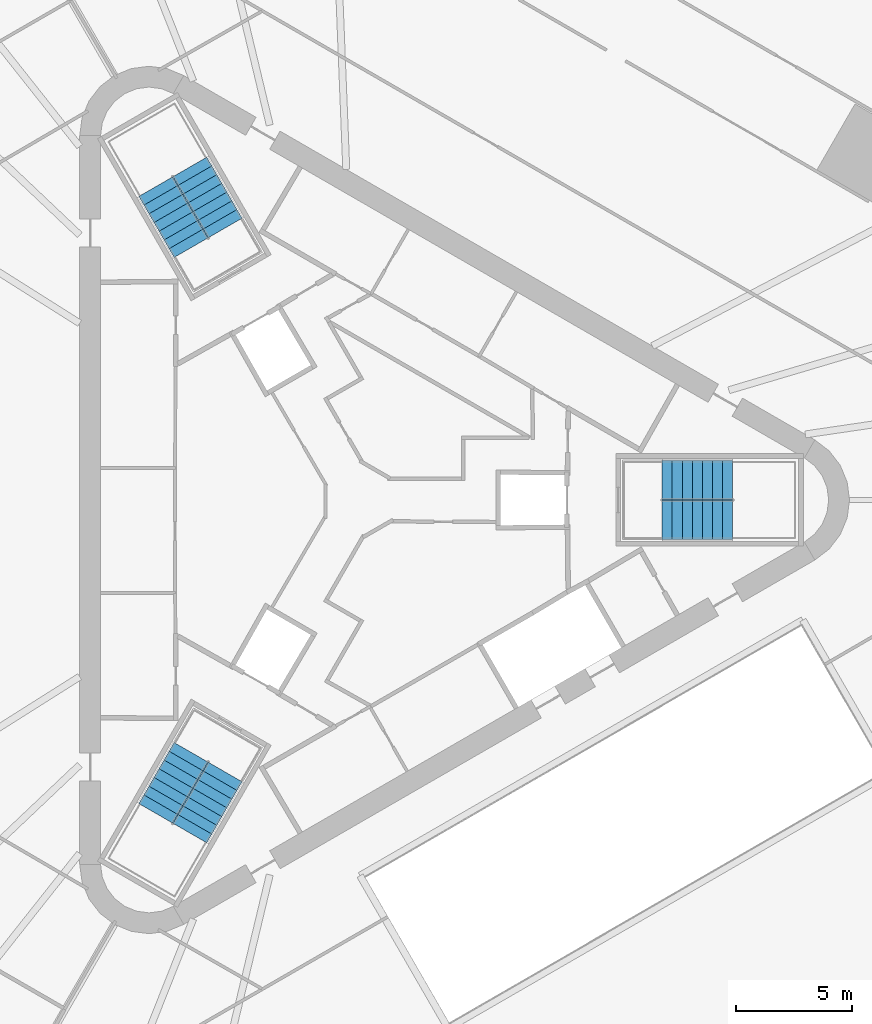
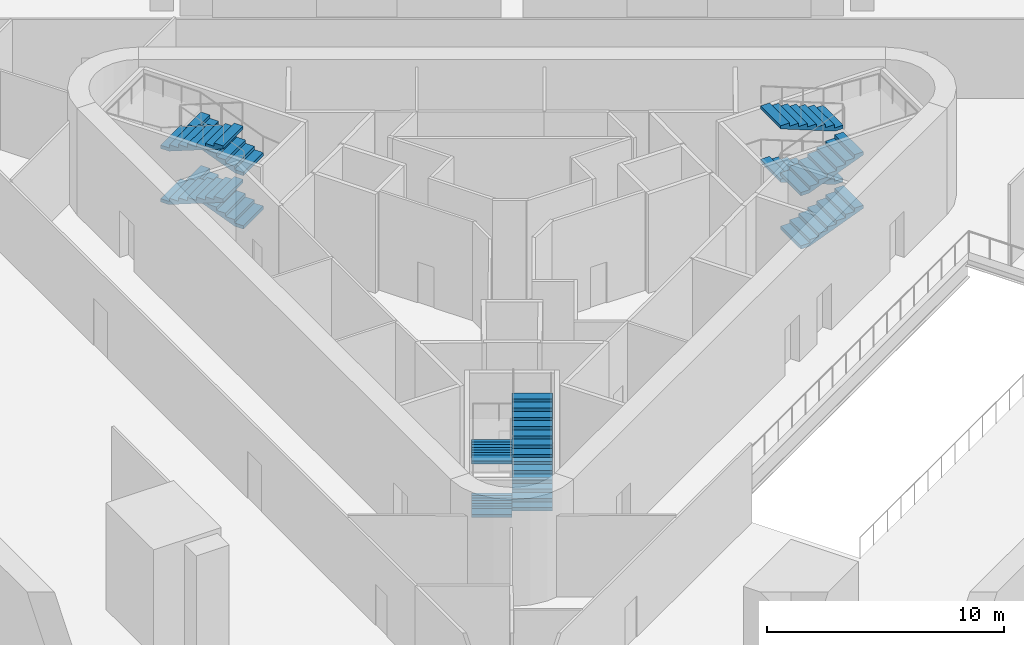
# One storey, part 11 of 13: 12 stair flights, 3 elements without a shape of their own.
"""IFC4 building model written with IfcOpenShell, lengths in metres."""

from ifc_helpers import new_model, si_unit, direction, frame, origin, place, context, subcontext, project, spatial, polyline, outline, extrude, material, type_object, element, aggregate, save


model = new_model("IFC4")

# Units and contexts
model_context = context("Model", 3, precision=1e-05, world=origin(), true_north=direction((0.0, 1.0)))
body_context = subcontext(model_context, "Body", "Model", "MODEL_VIEW")
ifc_project = project(units=[si_unit("LENGTHUNIT", "METRE"), si_unit("AREAUNIT", "SQUARE_METRE"), si_unit("VOLUMEUNIT", "CUBIC_METRE"), si_unit("PLANEANGLEUNIT", "RADIAN"), si_unit("MASSUNIT", "GRAM", prefix="KILO")], contexts=[model_context])

# Site, building, storey
site_placement = place(None, origin())
site = spatial("IfcSite", under=ifc_project, at=site_placement, CompositionType="ELEMENT")
building_placement = place(site_placement, origin())
building = spatial("IfcBuilding", under=site, at=building_placement, Name="Tanit Gate Tower", CompositionType="ELEMENT")
storey_placement = place(building_placement, frame((0.0, 0.0, -5.5)))
storey = spatial("IfcBuildingStorey", under=building, at=storey_placement, Name="B1", CompositionType="ELEMENT", Elevation=-5.5)

# Stair, stair flights
ifc_material_1 = material(Name="Concrete C40/50", Category="concrete")
stair_type = type_object("IfcStairType", Name="INT-STAIR-EXIT", PredefinedType="HALF_TURN_STAIR", material=ifc_material_1)
stair_1_placement = place(storey_placement, origin())
stair_1 = element("IfcStair", 1, at=stair_1_placement, inside=storey, type_object=stair_type, Name="B1 STAIR S1", PredefinedType="HALF_TURN_STAIR")
ifc_material_2 = material(Name="Concrete C40/50", Category="concrete")
stair_flight_type = type_object("IfcStairFlightType", Name="INT-STAIR-FLIGHT", PredefinedType="STRAIGHT", material=ifc_material_2)
stair_flight_1_placement = place(storey_placement, frame((13.094970703125, -0.8525390625, 0.0), z_axis=(0.0, 0.0, 1.0), x_axis=(1.0, 0.0, 0.0)))
stair_flight_1 = element("IfcStairFlight", 2, at=stair_flight_1_placement, type_object=stair_flight_type, Name="S1 flight 1", NumberOfRisers=8, NumberOfTreads=7, PredefinedType="STRAIGHT", RiserHeight=0.171875, TreadLength=0.435857143, context=body_context, shape_type="SweptSolid", body=[
    extrude(outline(polyline([(0.0, 0.0), (0.0, 0.171875), (0.435791015625, 0.171875), (0.435791015625, 0.34375), (0.871826171875, 0.34375), (0.871826171875, 0.515625), (1.3076171875, 0.515625), (1.3076171875, 0.6875), (1.743408203125, 0.6875), (1.743408203125, 0.859375), (2.17919921875, 0.859375), (2.17919921875, 1.03125), (2.615234375, 1.03125), (2.615234375, 1.203125), (3.051025390625, 1.203125), (3.051025390625, 1.375), (3.051025390625, 1.0419921875), (0.40869140625, 0.0), (0.0, 0.0)])), frame((0.0, 0.84765625, 0.0), z_axis=(0.0, -1.0, 0.0), x_axis=(1.0, 0.0, 0.0)), (0.0, 0.0, 1.0), 1.695068359375),
])
stair_flight_2_placement = place(storey_placement, frame((16.14599609375, 0.8525390625, 1.375), z_axis=(0.0, 0.0, 1.0), x_axis=(-1.0, 0.0, 0.0)))
stair_flight_2 = element("IfcStairFlight", 3, at=stair_flight_2_placement, type_object=stair_flight_type, Name="S1 flight 2", NumberOfRisers=8, NumberOfTreads=7, PredefinedType="STRAIGHT", RiserHeight=0.171875, TreadLength=0.435857143, context=body_context, shape_type="SweptSolid", body=[
    extrude(outline(polyline([(0.0, 0.0), (0.0, 0.171875), (0.435791015625, 0.171875), (0.435791015625, 0.34375), (0.871826171875, 0.34375), (0.871826171875, 0.515625), (1.3076171875, 0.515625), (1.3076171875, 0.6875), (1.743408203125, 0.6875), (1.743408203125, 0.859375), (2.17919921875, 0.859375), (2.17919921875, 1.03125), (2.615234375, 1.03125), (2.615234375, 1.203125), (3.051025390625, 1.203125), (3.051025390625, 1.375), (3.051025390625, 1.0419921875), (0.40869140625, 0.0), (0.0, 0.0)])), frame((0.0, 0.84765625, 0.0), z_axis=(0.0, -1.0, 0.0), x_axis=(1.0, 0.0, 0.0)), (0.0, 0.0, 1.0), 1.695068359375),
])
stair_flight_3_placement = place(storey_placement, frame((13.094970703125, -0.8525390625, 2.75), z_axis=(0.0, 0.0, 1.0), x_axis=(1.0, 0.0, 0.0)))
stair_flight_3 = element("IfcStairFlight", 4, at=stair_flight_3_placement, type_object=stair_flight_type, Name="S1 flight 3", NumberOfRisers=8, NumberOfTreads=7, PredefinedType="STRAIGHT", RiserHeight=0.171875, TreadLength=0.435857143, context=body_context, shape_type="SweptSolid", body=[
    extrude(outline(polyline([(0.0, 0.0), (0.0, 0.171875), (0.435791015625, 0.171875), (0.435791015625, 0.34375), (0.871826171875, 0.34375), (0.871826171875, 0.515625), (1.3076171875, 0.515625), (1.3076171875, 0.6875), (1.743408203125, 0.6875), (1.743408203125, 0.859375), (2.17919921875, 0.859375), (2.17919921875, 1.03125), (2.615234375, 1.03125), (2.615234375, 1.203125), (3.051025390625, 1.203125), (3.051025390625, 1.375), (3.051025390625, 1.0419921875), (0.40869140625, 0.0), (0.0, 0.0)])), frame((0.0, 0.84765625, 0.0), z_axis=(0.0, -1.0, 0.0), x_axis=(1.0, 0.0, 0.0)), (0.0, 0.0, 1.0), 1.695068359375),
])
stair_flight_4_placement = place(storey_placement, frame((16.14599609375, 0.8525390625, 4.125), z_axis=(0.0, 0.0, 1.0), x_axis=(-1.0, 0.0, 0.0)))
stair_flight_4 = element("IfcStairFlight", 5, at=stair_flight_4_placement, type_object=stair_flight_type, Name="S1 flight 4", NumberOfRisers=8, NumberOfTreads=7, PredefinedType="STRAIGHT", RiserHeight=0.171875, TreadLength=0.435857143, context=body_context, shape_type="SweptSolid", body=[
    extrude(outline(polyline([(0.0, 0.0), (0.0, 0.171875), (0.435791015625, 0.171875), (0.435791015625, 0.34375), (0.871826171875, 0.34375), (0.871826171875, 0.515625), (1.3076171875, 0.515625), (1.3076171875, 0.6875), (1.743408203125, 0.6875), (1.743408203125, 0.859375), (2.17919921875, 0.859375), (2.17919921875, 1.03125), (2.615234375, 1.03125), (2.615234375, 1.203125), (3.051025390625, 1.203125), (3.051025390625, 1.375), (3.051025390625, 1.0419921875), (0.40869140625, 0.0), (0.0, 0.0)])), frame((0.0, 0.84765625, 0.0), z_axis=(0.0, -1.0, 0.0), x_axis=(1.0, 0.0, 0.0)), (0.0, 0.0, 1.0), 1.695068359375),
])
aggregate(stair_1, [stair_flight_1, stair_flight_2, stair_flight_3, stair_flight_4])

stair_2_placement = place(storey_placement, origin())
stair_2 = element("IfcStair", 6, at=stair_2_placement, inside=storey, type_object=stair_type, Name="B1 STAIR S2", PredefinedType="HALF_TURN_STAIR")
stair_flight_5_placement = place(storey_placement, frame((-5.808349609375, 11.766357421875, 0.0), z_axis=(0.0, 0.0, 1.0), x_axis=(-0.5, 0.866025403784, 0.0)))
stair_flight_5 = element("IfcStairFlight", 7, at=stair_flight_5_placement, type_object=stair_flight_type, Name="S2 flight 1", NumberOfRisers=8, NumberOfTreads=7, PredefinedType="STRAIGHT", RiserHeight=0.171875, TreadLength=0.4356, context=body_context, shape_type="SweptSolid", body=[
    extrude(outline(polyline([(0.0, 0.0), (0.0, 0.171875), (0.435546875, 0.171875), (0.435546875, 0.34375), (0.87109375, 0.34375), (0.87109375, 0.515625), (1.306884765625, 0.515625), (1.306884765625, 0.6875), (1.742431640625, 0.6875), (1.742431640625, 0.859375), (2.177978515625, 0.859375), (2.177978515625, 1.03125), (2.613525390625, 1.03125), (2.613525390625, 1.203125), (3.04931640625, 1.203125), (3.04931640625, 1.375), (3.04931640625, 1.0419921875), (0.408447265625, 0.0), (0.0, 0.0)])), frame((0.0, 0.84716796875, 0.0), z_axis=(0.0, -1.0, 0.0), x_axis=(1.0, 0.0, 0.0)), (0.0, 0.0, 1.0), 1.694091796875),
])
stair_flight_6_placement = place(storey_placement, frame((-8.810302734375, 13.553955078125, 1.375), z_axis=(0.0, 0.0, 1.0), x_axis=(0.5, -0.866025403784, 0.0)))
stair_flight_6 = element("IfcStairFlight", 8, at=stair_flight_6_placement, type_object=stair_flight_type, Name="S2 flight 2", NumberOfRisers=8, NumberOfTreads=7, PredefinedType="STRAIGHT", RiserHeight=0.171875, TreadLength=0.4356, context=body_context, shape_type="SweptSolid", body=[
    extrude(outline(polyline([(0.0, 0.0), (0.0, 0.171875), (0.435546875, 0.171875), (0.435546875, 0.34375), (0.87109375, 0.34375), (0.87109375, 0.515625), (1.306884765625, 0.515625), (1.306884765625, 0.6875), (1.742431640625, 0.6875), (1.742431640625, 0.859375), (2.177978515625, 0.859375), (2.177978515625, 1.03125), (2.613525390625, 1.03125), (2.613525390625, 1.203125), (3.04931640625, 1.203125), (3.04931640625, 1.375), (3.04931640625, 1.0419921875), (0.408447265625, 0.0), (0.0, 0.0)])), frame((0.0, 0.84716796875, 0.0), z_axis=(0.0, -1.0, 0.0), x_axis=(1.0, 0.0, 0.0)), (0.0, 0.0, 1.0), 1.694091796875),
])
stair_flight_7_placement = place(storey_placement, frame((-5.808349609375, 11.766357421875, 2.75), z_axis=(0.0, 0.0, 1.0), x_axis=(-0.5, 0.866025403784, 0.0)))
stair_flight_7 = element("IfcStairFlight", 9, at=stair_flight_7_placement, type_object=stair_flight_type, Name="S2 flight 3", NumberOfRisers=8, NumberOfTreads=7, PredefinedType="STRAIGHT", RiserHeight=0.171875, TreadLength=0.4356, context=body_context, shape_type="SweptSolid", body=[
    extrude(outline(polyline([(0.0, 0.0), (0.0, 0.171875), (0.435546875, 0.171875), (0.435546875, 0.34375), (0.87109375, 0.34375), (0.87109375, 0.515625), (1.306884765625, 0.515625), (1.306884765625, 0.6875), (1.742431640625, 0.6875), (1.742431640625, 0.859375), (2.177978515625, 0.859375), (2.177978515625, 1.03125), (2.613525390625, 1.03125), (2.613525390625, 1.203125), (3.04931640625, 1.203125), (3.04931640625, 1.375), (3.04931640625, 1.0419921875), (0.408447265625, 0.0), (0.0, 0.0)])), frame((0.0, 0.84716796875, 0.0), z_axis=(0.0, -1.0, 0.0), x_axis=(1.0, 0.0, 0.0)), (0.0, 0.0, 1.0), 1.694091796875),
])
stair_flight_8_placement = place(storey_placement, frame((-8.810302734375, 13.553955078125, 4.125), z_axis=(0.0, 0.0, 1.0), x_axis=(0.5, -0.866025403784, 0.0)))
stair_flight_8 = element("IfcStairFlight", 10, at=stair_flight_8_placement, type_object=stair_flight_type, Name="S2 flight 4", NumberOfRisers=8, NumberOfTreads=7, PredefinedType="STRAIGHT", RiserHeight=0.171875, TreadLength=0.4356, context=body_context, shape_type="SweptSolid", body=[
    extrude(outline(polyline([(0.0, 0.0), (0.0, 0.171875), (0.435546875, 0.171875), (0.435546875, 0.34375), (0.87109375, 0.34375), (0.87109375, 0.515625), (1.306884765625, 0.515625), (1.306884765625, 0.6875), (1.742431640625, 0.6875), (1.742431640625, 0.859375), (2.177978515625, 0.859375), (2.177978515625, 1.03125), (2.613525390625, 1.03125), (2.613525390625, 1.203125), (3.04931640625, 1.203125), (3.04931640625, 1.375), (3.04931640625, 1.0419921875), (0.408447265625, 0.0), (0.0, 0.0)])), frame((0.0, 0.84716796875, 0.0), z_axis=(0.0, -1.0, 0.0), x_axis=(1.0, 0.0, 0.0)), (0.0, 0.0, 1.0), 1.694091796875),
])
aggregate(stair_2, [stair_flight_5, stair_flight_6, stair_flight_7, stair_flight_8])

stair_3_placement = place(storey_placement, origin())
stair_3 = element("IfcStair", 11, at=stair_3_placement, inside=storey, type_object=stair_type, Name="B1 STAIR S3", PredefinedType="HALF_TURN_STAIR")
stair_flight_9_placement = place(storey_placement, frame((-7.285888671875, -10.914306640625, 0.0), z_axis=(0.0, 0.0, 1.0), x_axis=(-0.5, -0.866025403784, 0.0)))
stair_flight_9 = element("IfcStairFlight", 12, at=stair_flight_9_placement, type_object=stair_flight_type, Name="S3 flight 1", NumberOfRisers=8, NumberOfTreads=7, PredefinedType="STRAIGHT", RiserHeight=0.171875, TreadLength=0.435857143, context=body_context, shape_type="SweptSolid", body=[
    extrude(outline(polyline([(0.0, 0.0), (0.0, 0.171875), (0.435791015625, 0.171875), (0.435791015625, 0.34375), (0.871826171875, 0.34375), (0.871826171875, 0.515625), (1.3076171875, 0.515625), (1.3076171875, 0.6875), (1.743408203125, 0.6875), (1.743408203125, 0.859375), (2.17919921875, 0.859375), (2.17919921875, 1.03125), (2.615234375, 1.03125), (2.615234375, 1.203125), (3.051025390625, 1.203125), (3.051025390625, 1.375), (3.051025390625, 1.0419921875), (0.40869140625, 0.0), (0.0, 0.0)])), frame((0.0, 0.84765625, 0.0), z_axis=(0.0, -1.0, 0.0), x_axis=(1.0, 0.0, 0.0)), (0.0, 0.0, 1.0), 1.695068359375),
])
stair_flight_10_placement = place(storey_placement, frame((-7.334716796875, -14.4091796875, 1.375), z_axis=(0.0, 0.0, 1.0), x_axis=(0.5, 0.866025403784, 0.0)))
stair_flight_10 = element("IfcStairFlight", 13, at=stair_flight_10_placement, type_object=stair_flight_type, Name="S3 flight 2", NumberOfRisers=8, NumberOfTreads=7, PredefinedType="STRAIGHT", RiserHeight=0.171875, TreadLength=0.435857143, context=body_context, shape_type="SweptSolid", body=[
    extrude(outline(polyline([(0.0, 0.0), (0.0, 0.171875), (0.435791015625, 0.171875), (0.435791015625, 0.34375), (0.871826171875, 0.34375), (0.871826171875, 0.515625), (1.3076171875, 0.515625), (1.3076171875, 0.6875), (1.743408203125, 0.6875), (1.743408203125, 0.859375), (2.17919921875, 0.859375), (2.17919921875, 1.03125), (2.615234375, 1.03125), (2.615234375, 1.203125), (3.051025390625, 1.203125), (3.051025390625, 1.375), (3.051025390625, 1.0419921875), (0.40869140625, 0.0), (0.0, 0.0)])), frame((0.0, 0.84765625, 0.0), z_axis=(0.0, -1.0, 0.0), x_axis=(1.0, 0.0, 0.0)), (0.0, 0.0, 1.0), 1.695068359375),
])
stair_flight_11_placement = place(storey_placement, frame((-7.285888671875, -10.914306640625, 2.75), z_axis=(0.0, 0.0, 1.0), x_axis=(-0.5, -0.866025403784, 0.0)))
stair_flight_11 = element("IfcStairFlight", 14, at=stair_flight_11_placement, type_object=stair_flight_type, Name="S3 flight 3", NumberOfRisers=8, NumberOfTreads=7, PredefinedType="STRAIGHT", RiserHeight=0.171875, TreadLength=0.435857143, context=body_context, shape_type="SweptSolid", body=[
    extrude(outline(polyline([(0.0, 0.0), (0.0, 0.171875), (0.435791015625, 0.171875), (0.435791015625, 0.34375), (0.871826171875, 0.34375), (0.871826171875, 0.515625), (1.3076171875, 0.515625), (1.3076171875, 0.6875), (1.743408203125, 0.6875), (1.743408203125, 0.859375), (2.17919921875, 0.859375), (2.17919921875, 1.03125), (2.615234375, 1.03125), (2.615234375, 1.203125), (3.051025390625, 1.203125), (3.051025390625, 1.375), (3.051025390625, 1.0419921875), (0.40869140625, 0.0), (0.0, 0.0)])), frame((0.0, 0.84765625, 0.0), z_axis=(0.0, -1.0, 0.0), x_axis=(1.0, 0.0, 0.0)), (0.0, 0.0, 1.0), 1.695068359375),
])
stair_flight_12_placement = place(storey_placement, frame((-7.334716796875, -14.4091796875, 4.125), z_axis=(0.0, 0.0, 1.0), x_axis=(0.5, 0.866025403784, 0.0)))
stair_flight_12 = element("IfcStairFlight", 15, at=stair_flight_12_placement, type_object=stair_flight_type, Name="S3 flight 4", NumberOfRisers=8, NumberOfTreads=7, PredefinedType="STRAIGHT", RiserHeight=0.171875, TreadLength=0.435857143, context=body_context, shape_type="SweptSolid", body=[
    extrude(outline(polyline([(0.0, 0.0), (0.0, 0.171875), (0.435791015625, 0.171875), (0.435791015625, 0.34375), (0.871826171875, 0.34375), (0.871826171875, 0.515625), (1.3076171875, 0.515625), (1.3076171875, 0.6875), (1.743408203125, 0.6875), (1.743408203125, 0.859375), (2.17919921875, 0.859375), (2.17919921875, 1.03125), (2.615234375, 1.03125), (2.615234375, 1.203125), (3.051025390625, 1.203125), (3.051025390625, 1.375), (3.051025390625, 1.0419921875), (0.40869140625, 0.0), (0.0, 0.0)])), frame((0.0, 0.84765625, 0.0), z_axis=(0.0, -1.0, 0.0), x_axis=(1.0, 0.0, 0.0)), (0.0, 0.0, 1.0), 1.695068359375),
])
aggregate(stair_3, [stair_flight_9, stair_flight_10, stair_flight_11, stair_flight_12])

save(model, "model.ifc")
